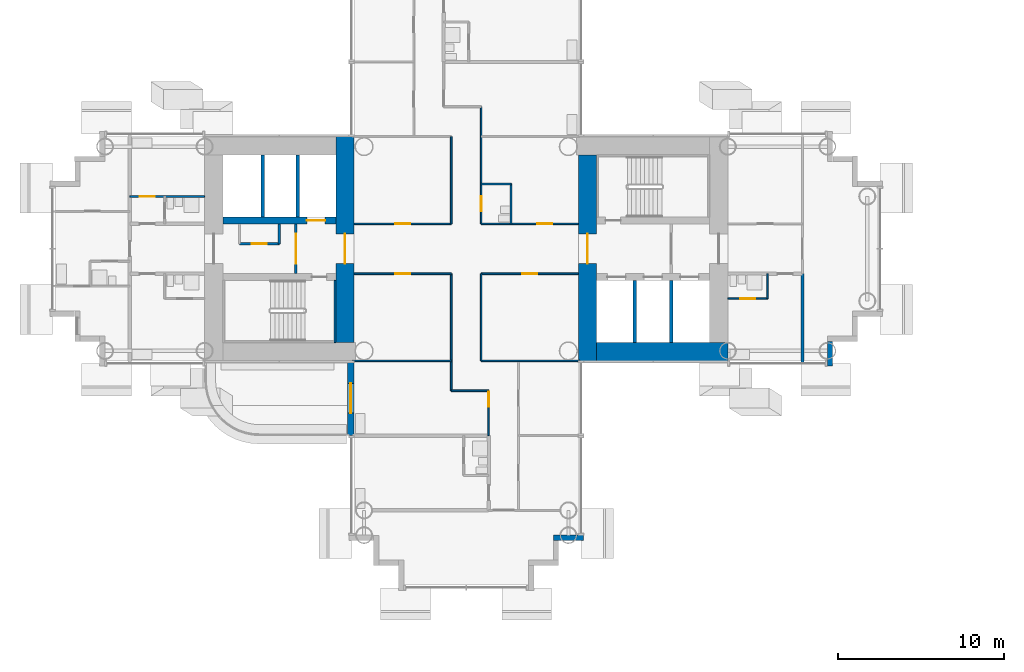
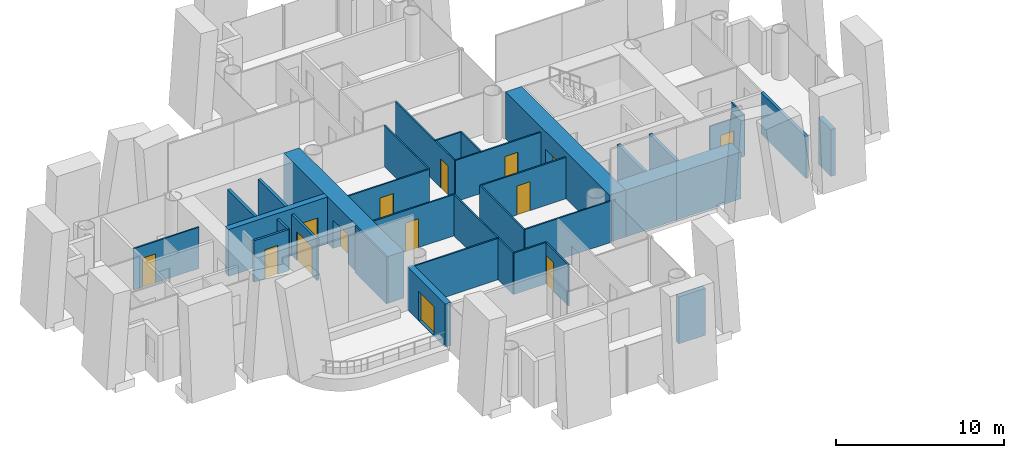
# One storey, part 11 of 24: 33 walls, 14 doors, 14 openings.
"""IFC4 building model written with IfcOpenShell, lengths in metres."""

from ifc_helpers import new_model, si_unit, direction, frame, frame_2d, origin, place, context, subcontext, project, spatial, rectangle, extrude, material, layer, layer_set, type_object, element, fill, save


model = new_model("IFC4")

# Units and contexts
model_context = context("Model", 3, precision=1e-05, world=origin(), true_north=direction((0.0, 1.0)))
body_context = subcontext(model_context, "Body", "Model", "MODEL_VIEW")
ifc_project = project(units=[si_unit("LENGTHUNIT", "METRE"), si_unit("AREAUNIT", "SQUARE_METRE"), si_unit("VOLUMEUNIT", "CUBIC_METRE"), si_unit("PLANEANGLEUNIT", "RADIAN"), si_unit("MASSUNIT", "GRAM", prefix="KILO")], contexts=[model_context])

# Site, building, storey
site_placement = place(None, origin())
site = spatial("IfcSite", under=ifc_project, at=site_placement, CompositionType="ELEMENT")
building_placement = place(site_placement, origin())
building = spatial("IfcBuilding", under=site, at=building_placement, Name="Ipe Terrace Towers", CompositionType="ELEMENT")
storey_placement = place(building_placement, frame((0.0, 0.0, 38.10009765625)))
storey = spatial("IfcBuildingStorey", under=building, at=storey_placement, Name="L09", CompositionType="ELEMENT", Elevation=38.10009765625)

# Wall, opening, door
ifc_material_1 = material(Name="Concrete C40/50 with buff precast cladding", Category="concrete")
ifc_layer_1 = layer(ifc_material_1, 0.39990234375)
ifc_layer_set_1 = layer_set([ifc_layer_1], Name="BALCONY BAY WALL 400")
wall_type_1 = type_object("IfcWallType", Name="BALCONY BAY WALL 400", PredefinedType="STANDARD", material=ifc_layer_set_1)
wall_1_placement = place(storey_placement, frame((-42.949951171875, -6.75, -0.02001953125), z_axis=(0.0, 0.0, 1.0), x_axis=(0.0, -1.0, 0.0)))
wall_1 = element("IfcWall", 1, at=wall_1_placement, inside=storey, type_object=wall_type_1, Name="T1-W-L09-06a wall", PredefinedType="STANDARD", context=body_context, shape_type="SweptSolid", body=[
    extrude(rectangle(XDim=4.5, YDim=0.39990234375, at=frame_2d((2.25, 0.0))), origin(), (0.0, 0.0, 1.0), 3.119873046875),
])
opening_1_placement = place(wall_1_placement, frame((1.35009765625, 0.0, 0.02001953125)))
opening_1 = element("IfcOpeningElement", 2, at=opening_1_placement, cuts=wall_1, Name="Opening T1-D-L09-06", PredefinedType="OPENING", context=body_context, shape_type="SweptSolid", body=[
    extrude(rectangle(XDim=1.800048828125, YDim=2.10009765625, at=frame_2d((0.89990234375, 1.050048828125))), frame((0.0, 0.2099609375, 0.0), z_axis=(0.0, -1.0, 0.0), x_axis=(1.0, 0.0, 0.0)), (0.0, 0.0, 1.0), 0.419921875),
])
ifc_material_2 = material(Name="Aluminium alloy 6063-T6 framed glazed door", Category="aluminium")
door_type_1 = type_object("IfcDoorType", Name="BALCONY DOOR 1800 x 2100 LEFT", OperationType="SINGLE_SWING_LEFT", PredefinedType="DOOR", material=ifc_material_2)
door_1_placement = place(opening_1_placement, origin())
door_1 = element("IfcDoor", 3, at=door_1_placement, inside=storey, type_object=door_type_1, Name="DB1 door", OperationType="SINGLE_SWING_LEFT", OverallHeight=2.10009765625, OverallWidth=1.800048828125, PredefinedType="DOOR", context=body_context, shape_type="SweptSolid", body=[
    extrude(rectangle(XDim=1.800048828125, YDim=2.10009765625, at=frame_2d((0.89990234375, 1.050048828125))), frame((0.0, 0.02490234375, 0.0), z_axis=(0.0, -1.0, 0.0), x_axis=(1.0, 0.0, 0.0)), (0.0, 0.0, 1.0), 0.050048828125),
])
fill(opening_1, door_1)

# Walls
ifc_material_3 = material(Name="Concrete C40/50 with buff precast cladding", Category="concrete")
ifc_layer_2 = layer(ifc_material_3, 0.320068359375)
ifc_layer_set_2 = layer_set([ifc_layer_2], Name="BUFF CLADDING WALL 320")
wall_type_2 = type_object("IfcWallType", Name="BUFF CLADDING WALL 320", PredefinedType="STANDARD", material=ifc_layer_set_2)
wall_2_placement = place(storey_placement, frame((-30.75, -17.409912109375, -0.300048828125), z_axis=(0.0, 0.0, 1.0), x_axis=(1.0, 0.0, 0.0)))
element("IfcWall", 4, at=wall_2_placement, inside=storey, type_object=wall_type_2, Name="T1-W-L09-16a wall", PredefinedType="STANDARD", context=body_context, shape_type="SweptSolid", body=[
    extrude(rectangle(XDim=1.820068359375, YDim=0.320068359375, at=frame_2d((0.91015625, 0.0))), origin(), (0.0, 0.0, 1.0), 3.39990234375),
])
wall_3_placement = place(storey_placement, frame((-14.090087890625, -7.070068359375, -0.300048828125), z_axis=(0.0, 0.0, 1.0), x_axis=(0.0, 1.0, 0.0)))
element("IfcWall", 5, at=wall_3_placement, inside=storey, type_object=wall_type_2, Name="T1-W-L09-21a wall", PredefinedType="STANDARD", context=body_context, shape_type="SweptSolid", body=[
    extrude(rectangle(XDim=1.5, YDim=0.320068359375, at=frame_2d((0.75, 0.0))), origin(), (0.0, 0.0, 1.0), 3.39990234375),
])
ifc_material_4 = material(Name="Gypsum board partition", Category="plasterboard")
ifc_layer_3 = layer(ifc_material_4, 0.10009765625)
ifc_layer_set_3 = layer_set([ifc_layer_3], Name="Gypsum board partition 100 mm")
wall_type_3 = type_object("IfcWallType", Name="Gypsum board partition 100 mm", PredefinedType="PARTITIONING", material=ifc_layer_set_3)
wall_4_placement = place(storey_placement, frame((-36.89990234375, -8.550048828125, 0.0), z_axis=(0.0, 0.0, 1.0), x_axis=(0.0, 1.0, 0.0)))
element("IfcWall", 6, at=wall_4_placement, inside=storey, type_object=wall_type_3, Name="Gypsum board partition T1 L09 W08", PredefinedType="PARTITIONING", context=body_context, shape_type="SweptSolid", body=[
    extrude(rectangle(XDim=7.050048828125, YDim=0.10009765625, at=frame_2d((3.52490234375, 0.0))), origin(), (0.0, 0.0, 1.0), 3.0),
])
for number, where, z_axis, x_axis, name in (
    (7, (-36.89990234375, 1.5, 0.0), (0.0, 0.0, 1.0), (0.0, 1.0, 0.0), "Gypsum board partition T1 L09 W09"),
    (8, (-35.10009765625, -6.75, 0.0), (0.0, 0.0, 1.0), (0.0, 1.0, 0.0), "Gypsum board partition T1 L09 W12"),
):
    element("IfcWall", number, at=place(storey_placement, frame(where, z_axis=z_axis, x_axis=x_axis)), inside=storey, type_object=wall_type_3, Name=name, PredefinedType="PARTITIONING", context=body_context, shape_type="SweptSolid", body=[
        extrude(rectangle(XDim=5.25, YDim=0.10009765625, at=frame_2d((2.625, 0.0))), origin(), (0.0, 0.0, 1.0), 3.0),
    ])

# Wall, opening, door
wall_5_placement = place(storey_placement, frame((-35.10009765625, 1.5, 0.0), z_axis=(0.0, 0.0, 1.0), x_axis=(0.0, 1.0, 0.0)))
wall_5 = element("IfcWall", 9, at=wall_5_placement, inside=storey, type_object=wall_type_3, Name="Gypsum board partition T1 L09 W13", PredefinedType="PARTITIONING", context=body_context, shape_type="SweptSolid", body=[
    extrude(rectangle(XDim=7.050048828125, YDim=0.10009765625, at=frame_2d((3.52490234375, 0.0))), origin(), (0.0, 0.0, 1.0), 3.0),
])
opening_2_placement = place(wall_5_placement, frame((0.75, 0.0, 0.0)))
opening_2 = element("IfcOpeningElement", 10, at=opening_2_placement, cuts=wall_5, Name="Opening T1-Z1B-01", PredefinedType="OPENING", context=body_context, shape_type="SweptSolid", body=[
    extrude(rectangle(XDim=0.89990234375, YDim=2.10009765625, at=frame_2d((0.449951171875, 1.050048828125))), frame((0.0, 0.06005859375, 0.0), z_axis=(0.0, -1.0, 0.0), x_axis=(1.0, 0.0, 0.0)), (0.0, 0.0, 1.0), 0.1201171875),
])
ifc_material_5 = material(Name="Timber door leaf", Category="wood")
door_type_2 = type_object("IfcDoorType", Name="Bathroom door 900 x 2100", OperationType="NOTDEFINED", PredefinedType="DOOR", material=ifc_material_5)
door_2_placement = place(opening_2_placement, origin())
door_2 = element("IfcDoor", 11, at=door_2_placement, inside=storey, type_object=door_type_2, Name="Bathroom door T1-Z1B-01", OperationType="SINGLE_SWING_LEFT", OverallHeight=2.10009765625, OverallWidth=0.89990234375, PredefinedType="DOOR", context=body_context, shape_type="SweptSolid", body=[
    extrude(rectangle(XDim=0.89990234375, YDim=2.10009765625, at=frame_2d((0.449951171875, 1.050048828125))), frame((0.0, 0.02490234375, 0.0), z_axis=(0.0, -1.0, 0.0), x_axis=(1.0, 0.0, 0.0)), (0.0, 0.0, 1.0), 0.050048828125),
])
fill(opening_2, door_2)

wall_6_placement = place(storey_placement, frame((-34.64990234375, -11.25, 0.0), z_axis=(0.0, 0.0, 1.0), x_axis=(0.0, 1.0, 0.0)))
wall_6 = element("IfcWall", 12, at=wall_6_placement, inside=storey, type_object=wall_type_3, Name="Gypsum board partition T1 L09 W14", PredefinedType="PARTITIONING", context=body_context, shape_type="SweptSolid", body=[
    extrude(rectangle(XDim=2.699951171875, YDim=0.10009765625, at=frame_2d((1.35009765625, 0.0))), origin(), (0.0, 0.0, 1.0), 3.0),
])
opening_3_placement = place(wall_6_placement, frame((1.72998046875, 0.0, 0.0)))
opening_3 = element("IfcOpeningElement", 13, at=opening_3_placement, cuts=wall_6, Name="Opening T1-Z1B-14", PredefinedType="OPENING", context=body_context, shape_type="SweptSolid", body=[
    extrude(rectangle(XDim=0.89990234375, YDim=2.10009765625, at=frame_2d((0.449951171875, 1.050048828125))), frame((0.0, 0.06005859375, 0.0), z_axis=(0.0, -1.0, 0.0), x_axis=(1.0, 0.0, 0.0)), (0.0, 0.0, 1.0), 0.1201171875),
])
ifc_material_6 = material(Name="Timber door leaf", Category="wood")
door_type_3 = type_object("IfcDoorType", Name="Lounge door 900 x 2100", OperationType="NOTDEFINED", PredefinedType="DOOR", material=ifc_material_6)
door_3_placement = place(opening_3_placement, origin())
door_3 = element("IfcDoor", 14, at=door_3_placement, inside=storey, type_object=door_type_3, Name="Lounge door T1-Z1B-14", OperationType="SINGLE_SWING_LEFT", OverallHeight=2.10009765625, OverallWidth=0.89990234375, PredefinedType="DOOR", context=body_context, shape_type="SweptSolid", body=[
    extrude(rectangle(XDim=0.89990234375, YDim=2.10009765625, at=frame_2d((0.449951171875, 1.050048828125))), frame((0.0, 0.02490234375, 0.0), z_axis=(0.0, -1.0, 0.0), x_axis=(1.0, 0.0, 0.0)), (0.0, 0.0, 1.0), 0.050048828125),
])
fill(opening_3, door_3)

# Walls
wall_7_placement = place(storey_placement, frame((-33.300048828125, 1.5, 0.0), z_axis=(0.0, 0.0, 1.0), x_axis=(0.0, 1.0, 0.0)))
element("IfcWall", 15, at=wall_7_placement, inside=storey, type_object=wall_type_3, Name="Gypsum board partition T1 L09 W16", PredefinedType="PARTITIONING", context=body_context, shape_type="SweptSolid", body=[
    extrude(rectangle(XDim=2.39990234375, YDim=0.10009765625, at=frame_2d((1.199951171875, 0.0))), origin(), (0.0, 0.0, 1.0), 3.0),
])
wall_8_placement = place(storey_placement, frame((-17.85009765625, -3.0, 0.0), z_axis=(0.0, 0.0, 1.0), x_axis=(0.0, 1.0, 0.0)))
element("IfcWall", 16, at=wall_8_placement, inside=storey, type_object=wall_type_3, Name="Gypsum board partition T1 L09 W18", PredefinedType="PARTITIONING", context=body_context, shape_type="SweptSolid", body=[
    extrude(rectangle(XDim=1.5, YDim=0.10009765625, at=frame_2d((0.75, 0.0))), origin(), (0.0, 0.0, 1.0), 3.0),
])
wall_9_placement = place(storey_placement, frame((-36.89990234375, -8.550048828125, 0.0), z_axis=(0.0, 0.0, 1.0), x_axis=(1.0, 0.0, 0.0)))
element("IfcWall", 17, at=wall_9_placement, inside=storey, type_object=wall_type_3, Name="Gypsum board partition T1 L09 W26", PredefinedType="PARTITIONING", context=body_context, shape_type="SweptSolid", body=[
    extrude(rectangle(XDim=2.25, YDim=0.10009765625, at=frame_2d((1.125, 0.0))), origin(), (0.0, 0.0, 1.0), 3.0),
])
for number, where, z_axis, x_axis, name in (
    (18, (-42.85009765625, -6.75, 0.0), (0.0, 0.0, 1.0), (1.0, 0.0, 0.0), "Gypsum board partition T1 L09 W27"),
    (19, (-35.10009765625, -6.75, 0.0), (0.0, 0.0, 1.0), (1.0, 0.0, 0.0), "Gypsum board partition T1 L09 W28"),
):
    element("IfcWall", number, at=place(storey_placement, frame(where, z_axis=z_axis, x_axis=x_axis)), inside=storey, type_object=wall_type_3, Name=name, PredefinedType="PARTITIONING", context=body_context, shape_type="SweptSolid", body=[
        extrude(rectangle(XDim=5.9501953125, YDim=0.10009765625, at=frame_2d((2.97509765625, 0.0))), origin(), (0.0, 0.0, 1.0), 3.0),
    ])

# Wall, opening, door
wall_10_placement = place(storey_placement, frame((-20.25, -3.0, 0.0), z_axis=(0.0, 0.0, 1.0), x_axis=(1.0, 0.0, 0.0)))
wall_10 = element("IfcWall", 20, at=wall_10_placement, inside=storey, type_object=wall_type_3, Name="Gypsum board partition T1 L09 W30", PredefinedType="PARTITIONING", context=body_context, shape_type="SweptSolid", body=[
    extrude(rectangle(XDim=2.39990234375, YDim=0.10009765625, at=frame_2d((1.199951171875, 0.0))), origin(), (0.0, 0.0, 1.0), 3.0),
])
opening_4_placement = place(wall_10_placement, frame((0.75, 0.0, 0.0)))
opening_4 = element("IfcOpeningElement", 21, at=opening_4_placement, cuts=wall_10, Name="Opening T1-Z1B-20", PredefinedType="OPENING", context=body_context, shape_type="SweptSolid", body=[
    extrude(rectangle(XDim=0.89990234375, YDim=2.10009765625, at=frame_2d((0.449951171875, 1.050048828125))), frame((0.0, 0.06005859375, 0.0), z_axis=(0.0, -1.0, 0.0), x_axis=(1.0, 0.0, 0.0)), (0.0, 0.0, 1.0), 0.1201171875),
])
door_4_placement = place(opening_4_placement, origin())
door_4 = element("IfcDoor", 22, at=door_4_placement, inside=storey, type_object=door_type_2, Name="Bathroom door T1-Z1B-20", OperationType="SINGLE_SWING_LEFT", OverallHeight=2.10009765625, OverallWidth=0.89990234375, PredefinedType="DOOR", context=body_context, shape_type="SweptSolid", body=[
    extrude(rectangle(XDim=0.89990234375, YDim=2.10009765625, at=frame_2d((0.449951171875, 1.050048828125))), frame((0.0, 0.02490234375, 0.0), z_axis=(0.0, -1.0, 0.0), x_axis=(1.0, 0.0, 0.0)), (0.0, 0.0, 1.0), 0.050048828125),
])
fill(opening_4, door_4)

wall_11_placement = place(storey_placement, frame((-42.75, -1.5, 0.0), z_axis=(0.0, 0.0, 1.0), x_axis=(1.0, 0.0, 0.0)))
wall_11 = element("IfcWall", 23, at=wall_11_placement, inside=storey, type_object=wall_type_3, Name="Gypsum board partition T1 L09 W32", PredefinedType="PARTITIONING", context=body_context, shape_type="SweptSolid", body=[
    extrude(rectangle(XDim=5.85009765625, YDim=0.10009765625, at=frame_2d((2.925048828125, 0.0))), origin(), (0.0, 0.0, 1.0), 3.0),
])
opening_5_placement = place(wall_11_placement, frame((2.47509765625, 0.0, 0.0)))
opening_5 = element("IfcOpeningElement", 24, at=opening_5_placement, cuts=wall_11, Name="Opening T1-Z1B-04", PredefinedType="OPENING", context=body_context, shape_type="SweptSolid", body=[
    extrude(rectangle(XDim=0.89990234375, YDim=2.10009765625, at=frame_2d((0.449951171875, 1.050048828125))), frame((0.0, 0.06005859375, 0.0), z_axis=(0.0, -1.0, 0.0), x_axis=(1.0, 0.0, 0.0)), (0.0, 0.0, 1.0), 0.1201171875),
])
door_5_placement = place(opening_5_placement, origin())
door_5 = element("IfcDoor", 25, at=door_5_placement, inside=storey, type_object=door_type_3, Name="Lounge door T1-Z1B-04", OperationType="SINGLE_SWING_LEFT", OverallHeight=2.10009765625, OverallWidth=0.89990234375, PredefinedType="DOOR", context=body_context, shape_type="SweptSolid", body=[
    extrude(rectangle(XDim=0.89990234375, YDim=2.10009765625, at=frame_2d((0.449951171875, 1.050048828125))), frame((0.0, 0.02490234375, 0.0), z_axis=(0.0, -1.0, 0.0), x_axis=(1.0, 0.0, 0.0)), (0.0, 0.0, 1.0), 0.050048828125),
])
fill(opening_5, door_5)

wall_12_placement = place(storey_placement, frame((-35.10009765625, -1.5, 0.0), z_axis=(0.0, 0.0, 1.0), x_axis=(1.0, 0.0, 0.0)))
wall_12 = element("IfcWall", 26, at=wall_12_placement, inside=storey, type_object=wall_type_3, Name="Gypsum board partition T1 L09 W33", PredefinedType="PARTITIONING", context=body_context, shape_type="SweptSolid", body=[
    extrude(rectangle(XDim=5.85009765625, YDim=0.10009765625, at=frame_2d((2.925048828125, 0.0))), origin(), (0.0, 0.0, 1.0), 3.0),
])
opening_6_placement = place(wall_12_placement, frame((2.47509765625, 0.0, 0.0)))
opening_6 = element("IfcOpeningElement", 27, at=opening_6_placement, cuts=wall_12, Name="Opening T1-Z1B-05", PredefinedType="OPENING", context=body_context, shape_type="SweptSolid", body=[
    extrude(rectangle(XDim=0.89990234375, YDim=2.10009765625, at=frame_2d((0.449951171875, 1.050048828125))), frame((0.0, 0.06005859375, 0.0), z_axis=(0.0, -1.0, 0.0), x_axis=(1.0, 0.0, 0.0)), (0.0, 0.0, 1.0), 0.1201171875),
])
door_6_placement = place(opening_6_placement, origin())
door_6 = element("IfcDoor", 28, at=door_6_placement, inside=storey, type_object=door_type_3, Name="Lounge door T1-Z1B-05", OperationType="SINGLE_SWING_RIGHT", OverallHeight=2.10009765625, OverallWidth=0.89990234375, PredefinedType="DOOR", context=body_context, shape_type="SweptSolid", body=[
    extrude(rectangle(XDim=0.89990234375, YDim=2.10009765625, at=frame_2d((0.449951171875, 1.050048828125))), frame((0.0, 0.02490234375, 0.0), z_axis=(0.0, -1.0, 0.0), x_axis=(1.0, 0.0, 0.0)), (0.0, 0.0, 1.0), 0.050048828125),
])
fill(opening_6, door_6)

wall_13_placement = place(storey_placement, frame((-42.75, 1.5, 0.0), z_axis=(0.0, 0.0, 1.0), x_axis=(1.0, 0.0, 0.0)))
wall_13 = element("IfcWall", 29, at=wall_13_placement, inside=storey, type_object=wall_type_3, Name="Gypsum board partition T1 L09 W37", PredefinedType="PARTITIONING", context=body_context, shape_type="SweptSolid", body=[
    extrude(rectangle(XDim=5.85009765625, YDim=0.10009765625, at=frame_2d((2.925048828125, 0.0))), origin(), (0.0, 0.0, 1.0), 3.0),
])
opening_7_placement = place(wall_13_placement, frame((2.47509765625, 0.0, 0.0)))
opening_7 = element("IfcOpeningElement", 30, at=opening_7_placement, cuts=wall_13, Name="Opening T1-Z1B-03", PredefinedType="OPENING", context=body_context, shape_type="SweptSolid", body=[
    extrude(rectangle(XDim=0.89990234375, YDim=2.10009765625, at=frame_2d((0.449951171875, 1.050048828125))), frame((0.0, 0.06005859375, 0.0), z_axis=(0.0, -1.0, 0.0), x_axis=(1.0, 0.0, 0.0)), (0.0, 0.0, 1.0), 0.1201171875),
])
door_7_placement = place(opening_7_placement, origin())
door_7 = element("IfcDoor", 31, at=door_7_placement, inside=storey, type_object=door_type_3, Name="Lounge door T1-Z1B-03", OperationType="SINGLE_SWING_RIGHT", OverallHeight=2.10009765625, OverallWidth=0.89990234375, PredefinedType="DOOR", context=body_context, shape_type="SweptSolid", body=[
    extrude(rectangle(XDim=0.89990234375, YDim=2.10009765625, at=frame_2d((0.449951171875, 1.050048828125))), frame((0.0, 0.02490234375, 0.0), z_axis=(0.0, -1.0, 0.0), x_axis=(1.0, 0.0, 0.0)), (0.0, 0.0, 1.0), 0.050048828125),
])
fill(opening_7, door_7)

wall_14_placement = place(storey_placement, frame((-35.10009765625, 1.5, 0.0), z_axis=(0.0, 0.0, 1.0), x_axis=(1.0, 0.0, 0.0)))
wall_14 = element("IfcWall", 32, at=wall_14_placement, inside=storey, type_object=wall_type_3, Name="Gypsum board partition T1 L09 W38", PredefinedType="PARTITIONING", context=body_context, shape_type="SweptSolid", body=[
    extrude(rectangle(XDim=5.85009765625, YDim=0.10009765625, at=frame_2d((2.925048828125, 0.0))), origin(), (0.0, 0.0, 1.0), 3.0),
])
opening_8_placement = place(wall_14_placement, frame((3.375, 0.0, 0.0)))
opening_8 = element("IfcOpeningElement", 33, at=opening_8_placement, cuts=wall_14, Name="Opening T1-Z1B-02", PredefinedType="OPENING", context=body_context, shape_type="SweptSolid", body=[
    extrude(rectangle(XDim=0.89990234375, YDim=2.10009765625, at=frame_2d((0.449951171875, 1.050048828125))), frame((0.0, 0.06005859375, 0.0), z_axis=(0.0, -1.0, 0.0), x_axis=(1.0, 0.0, 0.0)), (0.0, 0.0, 1.0), 0.1201171875),
])
door_8_placement = place(opening_8_placement, origin())
door_8 = element("IfcDoor", 34, at=door_8_placement, inside=storey, type_object=door_type_3, Name="Lounge door T1-Z1B-02", OperationType="SINGLE_SWING_LEFT", OverallHeight=2.10009765625, OverallWidth=0.89990234375, PredefinedType="DOOR", context=body_context, shape_type="SweptSolid", body=[
    extrude(rectangle(XDim=0.89990234375, YDim=2.10009765625, at=frame_2d((0.449951171875, 1.050048828125))), frame((0.0, 0.02490234375, 0.0), z_axis=(0.0, -1.0, 0.0), x_axis=(1.0, 0.0, 0.0)), (0.0, 0.0, 1.0), 0.050048828125),
])
fill(opening_8, door_8)

wall_15_placement = place(storey_placement, frame((-56.25, 3.14990234375, 0.0), z_axis=(0.0, 0.0, 1.0), x_axis=(1.0, 0.0, 0.0)))
wall_15 = element("IfcWall", 35, at=wall_15_placement, inside=storey, type_object=wall_type_3, Name="Gypsum board partition T1 L09 W42", PredefinedType="PARTITIONING", context=body_context, shape_type="SweptSolid", body=[
    extrude(rectangle(XDim=4.5, YDim=0.10009765625, at=frame_2d((2.25, 0.0))), origin(), (0.0, 0.0, 1.0), 3.0),
])
opening_9_placement = place(wall_15_placement, frame((0.60009765625, 0.0, 0.0)))
opening_9 = element("IfcOpeningElement", 36, at=opening_9_placement, cuts=wall_15, Name="Opening T1-Z1B-25", PredefinedType="OPENING", context=body_context, shape_type="SweptSolid", body=[
    extrude(rectangle(XDim=0.89990234375, YDim=2.10009765625, at=frame_2d((0.449951171875, 1.050048828125))), frame((0.0, 0.06005859375, 0.0), z_axis=(0.0, -1.0, 0.0), x_axis=(1.0, 0.0, 0.0)), (0.0, 0.0, 1.0), 0.1201171875),
])
ifc_material_7 = material(Name="Timber door leaf", Category="wood")
door_type_4 = type_object("IfcDoorType", Name="Bedroom door 900 x 2100", OperationType="NOTDEFINED", PredefinedType="DOOR", material=ifc_material_7)
door_9_placement = place(opening_9_placement, origin())
door_9 = element("IfcDoor", 37, at=door_9_placement, inside=storey, type_object=door_type_4, Name="Bedroom door T1-Z1B-25", OperationType="SINGLE_SWING_RIGHT", OverallHeight=2.10009765625, OverallWidth=0.89990234375, PredefinedType="DOOR", context=body_context, shape_type="SweptSolid", body=[
    extrude(rectangle(XDim=0.89990234375, YDim=2.10009765625, at=frame_2d((0.449951171875, 1.050048828125))), frame((0.0, 0.02490234375, 0.0), z_axis=(0.0, -1.0, 0.0), x_axis=(1.0, 0.0, 0.0)), (0.0, 0.0, 1.0), 0.050048828125),
])
fill(opening_9, door_9)

# Wall
wall_16_placement = place(storey_placement, frame((-35.10009765625, 3.89990234375, 0.0), z_axis=(0.0, 0.0, 1.0), x_axis=(1.0, 0.0, 0.0)))
element("IfcWall", 38, at=wall_16_placement, inside=storey, type_object=wall_type_3, Name="Gypsum board partition T1 L09 W43", PredefinedType="PARTITIONING", context=body_context, shape_type="SweptSolid", body=[
    extrude(rectangle(XDim=1.800048828125, YDim=0.10009765625, at=frame_2d((0.89990234375, 0.0))), origin(), (0.0, 0.0, 1.0), 3.0),
])

# Wall, opening, door
ifc_material_8 = material(Name="Gypsum board partition", Category="plasterboard")
ifc_layer_4 = layer(ifc_material_8, 0.14990234375)
ifc_layer_set_4 = layer_set([ifc_layer_4], Name="Gypsum board partition 150 mm")
wall_type_4 = type_object("IfcWallType", Name="Gypsum board partition 150 mm", PredefinedType="PARTITIONING", material=ifc_layer_set_4)
wall_17_placement = place(storey_placement, frame((-46.25, 1.5, 0.0), z_axis=(0.0, 0.0, 1.0), x_axis=(0.0, -1.0, 0.0)))
wall_17 = element("IfcWall", 39, at=wall_17_placement, inside=storey, type_object=wall_type_4, Name="Gypsum board partition T1 L09 t1c2-lobby-wall", PredefinedType="PARTITIONING", context=body_context, shape_type="SweptSolid", body=[
    extrude(rectangle(XDim=3.0, YDim=0.14990234375, at=frame_2d((1.5, 0.0))), origin(), (0.0, 0.0, 1.0), 3.0),
])
opening_10_placement = place(wall_17_placement, frame((0.60009765625, 0.0, 0.0)))
opening_10 = element("IfcOpeningElement", 40, at=opening_10_placement, cuts=wall_17, Name="Opening T1C2-VD", PredefinedType="OPENING", context=body_context, shape_type="SweptSolid", body=[
    extrude(rectangle(XDim=1.800048828125, YDim=2.10009765625, at=frame_2d((0.89990234375, 1.050048828125))), frame((0.0, 0.0849609375, 0.0), z_axis=(0.0, -1.0, 0.0), x_axis=(1.0, 0.0, 0.0)), (0.0, 0.0, 1.0), 0.169921875),
])
ifc_material_9 = material(Name="Fire-rated timber door leaf", Category="wood")
door_type_5 = type_object("IfcDoorType", Name="Lobby door 1800 x 2100 FD60", OperationType="NOTDEFINED", PredefinedType="DOOR", material=ifc_material_9)
door_10_placement = place(opening_10_placement, origin())
door_10 = element("IfcDoor", 41, at=door_10_placement, inside=storey, type_object=door_type_5, Name="Lobby door T1C2-VD", OperationType="SINGLE_SWING_LEFT", OverallHeight=2.10009765625, OverallWidth=1.800048828125, PredefinedType="DOOR", context=body_context, shape_type="SweptSolid", body=[
    extrude(rectangle(XDim=1.800048828125, YDim=2.10009765625, at=frame_2d((0.89990234375, 1.050048828125))), frame((0.0, 0.02490234375, 0.0), z_axis=(0.0, -1.0, 0.0), x_axis=(1.0, 0.0, 0.0)), (0.0, 0.0, 1.0), 0.050048828125),
])
fill(opening_10, door_10)

wall_18_placement = place(storey_placement, frame((-47.25, 0.300048828125, 0.0), z_axis=(0.0, 0.0, 1.0), x_axis=(-1.0, 0.0, 0.0)))
wall_18 = element("IfcWall", 42, at=wall_18_placement, inside=storey, type_object=wall_type_4, Name="Gypsum board partition T1 L09 t1c2-cup-s-f", PredefinedType="PARTITIONING", context=body_context, shape_type="SweptSolid", body=[
    extrude(rectangle(XDim=2.39990234375, YDim=0.14990234375, at=frame_2d((1.199951171875, 0.0))), origin(), (0.0, 0.0, 1.0), 3.0),
])
opening_11_placement = place(wall_18_placement, frame((0.75, 0.0, 0.0)))
opening_11 = element("IfcOpeningElement", 43, at=opening_11_placement, cuts=wall_18, Name="Opening T1C2-SC", PredefinedType="OPENING", context=body_context, shape_type="SweptSolid", body=[
    extrude(rectangle(XDim=0.89990234375, YDim=2.10009765625, at=frame_2d((0.449951171875, 1.050048828125))), frame((0.0, 0.0849609375, 0.0), z_axis=(0.0, -1.0, 0.0), x_axis=(1.0, 0.0, 0.0)), (0.0, 0.0, 1.0), 0.169921875),
])
ifc_material_10 = material(Name="Fire-rated timber door leaf", Category="wood")
door_type_6 = type_object("IfcDoorType", Name="Service door 900 x 2100 FD30S", OperationType="NOTDEFINED", PredefinedType="DOOR", material=ifc_material_10)
door_11_placement = place(opening_11_placement, origin())
door_11 = element("IfcDoor", 44, at=door_11_placement, inside=storey, type_object=door_type_6, Name="Service door T1C2-SC", OperationType="SINGLE_SWING_LEFT", OverallHeight=2.10009765625, OverallWidth=0.89990234375, PredefinedType="DOOR", context=body_context, shape_type="SweptSolid", body=[
    extrude(rectangle(XDim=0.89990234375, YDim=2.10009765625, at=frame_2d((0.449951171875, 1.050048828125))), frame((0.0, 0.02490234375, 0.0), z_axis=(0.0, -1.0, 0.0), x_axis=(1.0, 0.0, 0.0)), (0.0, 0.0, 1.0), 0.050048828125),
])
fill(opening_11, door_11)

# Walls
wall_19_placement = place(storey_placement, frame((-47.25, 0.300048828125, 0.0), z_axis=(0.0, 0.0, 1.0), x_axis=(0.0, 1.0, 0.0)))
element("IfcWall", 45, at=wall_19_placement, inside=storey, type_object=wall_type_4, Name="Gypsum board partition T1 L09 t1c2-cup-s-a", PredefinedType="PARTITIONING", context=body_context, shape_type="SweptSolid", body=[
    extrude(rectangle(XDim=1.199951171875, YDim=0.14990234375, at=frame_2d((0.60009765625, 0.0))), origin(), (0.0, 0.0, 1.0), 3.0),
])
ifc_material_11 = material(Name="Gypsum board party wall", Category="plasterboard")
ifc_layer_5 = layer(ifc_material_11, 0.199951171875)
ifc_layer_set_5 = layer_set([ifc_layer_5], Name="Gypsum board party wall 200 mm")
wall_type_5 = type_object("IfcWallType", Name="Gypsum board party wall 200 mm", PredefinedType="SOLIDWALL", material=ifc_layer_set_5)
for number, where, z_axis, x_axis, name in (
    (46, (-25.85009765625, -5.64990234375, 0.0), (0.0, 0.0, 1.0), (0.0, 1.0, 0.0), "Gypsum board party wall T1 L09 t1c1-shaft-div1"),
    (47, (-23.64990234375, -5.64990234375, 0.0), (0.0, 0.0, 1.0), (0.0, 1.0, 0.0), "Gypsum board party wall T1 L09 t1c1-shaft-div2"),
    (48, (-46.14990234375, 5.64990234375, 0.0), (0.0, 0.0, 1.0), (0.0, -1.0, 0.0), "Gypsum board party wall T1 L09 t1c2-shaft-div1"),
    (49, (-48.25, 5.64990234375, 0.0), (0.0, 0.0, 1.0), (0.0, -1.0, 0.0), "Gypsum board party wall T1 L09 t1c2-shaft-div2"),
):
    element("IfcWall", number, at=place(storey_placement, frame(where, z_axis=z_axis, x_axis=x_axis)), inside=storey, type_object=wall_type_5, Name=name, PredefinedType="SOLIDWALL", context=body_context, shape_type="SweptSolid", body=[
        extrude(rectangle(XDim=3.75, YDim=0.199951171875, at=frame_2d((1.875, 0.0))), origin(), (0.0, 0.0, 1.0), 3.0),
    ])
wall_20_placement = place(storey_placement, frame((-15.75, -6.85009765625, 0.0), z_axis=(0.0, 0.0, 1.0), x_axis=(0.0, 1.0, 0.0)))
element("IfcWall", 50, at=wall_20_placement, inside=storey, type_object=wall_type_5, Name="Gypsum board party wall T1 L09 W20", PredefinedType="SOLIDWALL", context=body_context, shape_type="SweptSolid", body=[
    extrude(rectangle(XDim=5.35009765625, YDim=0.199951171875, at=frame_2d((2.675048828125, 0.0))), origin(), (0.0, 0.0, 1.0), 3.0),
])
ifc_material_12 = material(Name="Concrete C60/75", Category="concrete")
ifc_layer_6 = layer(ifc_material_12, 0.10009765625)
ifc_layer_set_6 = layer_set([ifc_layer_6], Name="RW100 CORE INFILL WALL 100 C60-75")
wall_type_6 = type_object("IfcWallType", Name="RW100 CORE INFILL WALL 100 C60-75", PredefinedType="SHEAR", material=ifc_layer_set_6)
wall_21_placement = place(storey_placement, frame((-43.89990234375, -1.89990234375, 0.0), z_axis=(0.0, 0.0, 1.0), x_axis=(0.0, -1.0, 0.0)))
element("IfcWall", 51, at=wall_21_placement, inside=storey, type_object=wall_type_6, Name="Core infill wall T1-C2-near", PredefinedType="SHEAR", context=body_context, shape_type="SweptSolid", body=[
    extrude(rectangle(XDim=3.75, YDim=0.10009765625, at=frame_2d((1.875, 0.0))), origin(), (0.0, 0.0, 1.0), 3.39990234375),
])
ifc_material_13 = material(Name="Concrete C60/75", Category="concrete")
ifc_layer_7 = layer(ifc_material_13, 1.10009765625)
ifc_layer_set_7 = layer_set([ifc_layer_7], Name="RW1100 CORE WALL 1100 C60-75")
wall_type_7 = type_object("IfcWallType", Name="RW1100 CORE WALL 1100 C60-75", PredefinedType="SHEAR", material=ifc_layer_set_7)
wall_22_placement = place(storey_placement, frame((-28.14990234375, -6.199951171875, 0.0), z_axis=(0.0, 0.0, 1.0), x_axis=(1.0, 0.0, 0.0)))
element("IfcWall", 52, at=wall_22_placement, inside=storey, type_object=wall_type_7, Name="Core wall T1-C1-Z1-W01", PredefinedType="SHEAR", context=body_context, shape_type="SweptSolid", body=[
    extrude(rectangle(XDim=7.89990234375, YDim=1.10009765625, at=frame_2d((3.949951171875, 0.0))), origin(), (0.0, 0.0, 1.0), 3.39990234375),
])

# Wall, opening, door
wall_23_placement = place(storey_placement, frame((-28.699951171875, 5.64990234375, 0.0), z_axis=(0.0, 0.0, 1.0), x_axis=(0.0, -1.0, 0.0)))
wall_23 = element("IfcWall", 53, at=wall_23_placement, inside=storey, type_object=wall_type_7, Name="Core wall T1-C1-Z1-W04", PredefinedType="SHEAR", context=body_context, shape_type="SweptSolid", body=[
    extrude(rectangle(XDim=12.39990234375, YDim=1.10009765625, at=frame_2d((6.199951171875, 0.0))), origin(), (0.0, 0.0, 1.0), 3.39990234375),
])
opening_12_placement = place(wall_23_placement, frame((4.75, 0.0, 0.0)))
opening_12 = element("IfcOpeningElement", 54, at=opening_12_placement, cuts=wall_23, Name="Opening T1C1-ND", PredefinedType="OPENING", context=body_context, shape_type="SweptSolid", body=[
    extrude(rectangle(XDim=1.800048828125, YDim=2.10009765625, at=frame_2d((0.89990234375, 1.050048828125))), frame((0.0, 0.56005859375, 0.0), z_axis=(0.0, -1.0, 0.0), x_axis=(1.0, 0.0, 0.0)), (0.0, 0.0, 1.0), 1.1201171875),
])
ifc_material_14 = material(Name="Fire-rated timber door leaf", Category="wood")
door_type_7 = type_object("IfcDoorType", Name="Fire door 1800 x 2100 FD30S", OperationType="NOTDEFINED", PredefinedType="DOOR", material=ifc_material_14)
door_12_placement = place(opening_12_placement, origin())
door_12 = element("IfcDoor", 55, at=door_12_placement, inside=storey, type_object=door_type_7, Name="Fire door T1C1-ND", OperationType="SINGLE_SWING_LEFT", OverallHeight=2.10009765625, OverallWidth=1.800048828125, PredefinedType="DOOR", context=body_context, shape_type="SweptSolid", body=[
    extrude(rectangle(XDim=1.800048828125, YDim=2.10009765625, at=frame_2d((0.89990234375, 1.050048828125))), frame((0.0, 0.02490234375, 0.0), z_axis=(0.0, -1.0, 0.0), x_axis=(1.0, 0.0, 0.0)), (0.0, 0.0, 1.0), 0.050048828125),
])
fill(opening_12, door_12)

wall_24_placement = place(storey_placement, frame((-43.300048828125, -5.64990234375, 0.0), z_axis=(0.0, 0.0, 1.0), x_axis=(0.0, 1.0, 0.0)))
wall_24 = element("IfcWall", 56, at=wall_24_placement, inside=storey, type_object=wall_type_7, Name="Core wall T1-C2-Z1-W02", PredefinedType="SHEAR", context=body_context, shape_type="SweptSolid", body=[
    extrude(rectangle(XDim=12.39990234375, YDim=1.10009765625, at=frame_2d((6.199951171875, 0.0))), origin(), (0.0, 0.0, 1.0), 3.39990234375),
])
opening_13_placement = place(wall_24_placement, frame((4.75, 0.0, 0.0)))
opening_13 = element("IfcOpeningElement", 57, at=opening_13_placement, cuts=wall_24, Name="Opening T1C2-ND", PredefinedType="OPENING", context=body_context, shape_type="SweptSolid", body=[
    extrude(rectangle(XDim=1.800048828125, YDim=2.10009765625, at=frame_2d((0.89990234375, 1.050048828125))), frame((0.0, 0.56005859375, 0.0), z_axis=(0.0, -1.0, 0.0), x_axis=(1.0, 0.0, 0.0)), (0.0, 0.0, 1.0), 1.1201171875),
])
door_13_placement = place(opening_13_placement, origin())
door_13 = element("IfcDoor", 58, at=door_13_placement, inside=storey, type_object=door_type_7, Name="Fire door T1C2-ND", OperationType="SINGLE_SWING_LEFT", OverallHeight=2.10009765625, OverallWidth=1.800048828125, PredefinedType="DOOR", context=body_context, shape_type="SweptSolid", body=[
    extrude(rectangle(XDim=1.800048828125, YDim=2.10009765625, at=frame_2d((0.89990234375, 1.050048828125))), frame((0.0, 0.02490234375, 0.0), z_axis=(0.0, -1.0, 0.0), x_axis=(1.0, 0.0, 0.0)), (0.0, 0.0, 1.0), 0.050048828125),
])
fill(opening_13, door_13)

ifc_material_15 = material(Name="Concrete C60/75", Category="concrete")
ifc_layer_8 = layer(ifc_material_15, 0.39990234375)
ifc_layer_set_8 = layer_set([ifc_layer_8], Name="RW400 CORE SPINE WALL 400 C60-75")
wall_type_8 = type_object("IfcWallType", Name="RW400 CORE SPINE WALL 400 C60-75", PredefinedType="SHEAR", material=ifc_layer_set_8)
wall_25_placement = place(storey_placement, frame((-50.64990234375, 1.699951171875, 0.0), z_axis=(0.0, 0.0, 1.0), x_axis=(1.0, 0.0, 0.0)))
wall_25 = element("IfcWall", 59, at=wall_25_placement, inside=storey, type_object=wall_type_8, Name="Core spine wall T1-C2-Z1-SW2", PredefinedType="SHEAR", context=body_context, shape_type="SweptSolid", body=[
    extrude(rectangle(XDim=6.7998046875, YDim=0.39990234375, at=frame_2d((3.39990234375, 0.0))), origin(), (0.0, 0.0, 1.0), 3.39990234375),
])
opening_14_placement = place(wall_25_placement, frame((5.050048828125, 0.0, 0.0)))
opening_14 = element("IfcOpeningElement", 60, at=opening_14_placement, cuts=wall_25, Name="Opening T1C2-LD1", PredefinedType="OPENING", context=body_context, shape_type="SweptSolid", body=[
    extrude(rectangle(XDim=1.10009765625, YDim=2.10009765625, at=frame_2d((0.550048828125, 1.050048828125))), frame((0.0, 0.2099609375, 0.0), z_axis=(0.0, -1.0, 0.0), x_axis=(1.0, 0.0, 0.0)), (0.0, 0.0, 1.0), 0.419921875),
])
ifc_material_16 = material(Name="Fire-rated timber door leaf", Category="wood")
door_type_8 = type_object("IfcDoorType", Name="Sliding door 1100 x 2100 FD60", OperationType="SLIDING_TO_LEFT", PredefinedType="DOOR", material=ifc_material_16)
door_14_placement = place(opening_14_placement, origin())
door_14 = element("IfcDoor", 61, at=door_14_placement, inside=storey, type_object=door_type_8, Name="Sliding door T1C2-LD1", OperationType="SLIDING_TO_LEFT", OverallHeight=2.10009765625, OverallWidth=1.10009765625, PredefinedType="DOOR", context=body_context, shape_type="SweptSolid", body=[
    extrude(rectangle(XDim=1.10009765625, YDim=2.10009765625, at=frame_2d((0.550048828125, 1.050048828125))), frame((0.0, 0.02490234375, 0.0), z_axis=(0.0, -1.0, 0.0), x_axis=(1.0, 0.0, 0.0)), (0.0, 0.0, 1.0), 0.050048828125),
])
fill(opening_14, door_14)

save(model, "model.ifc")
